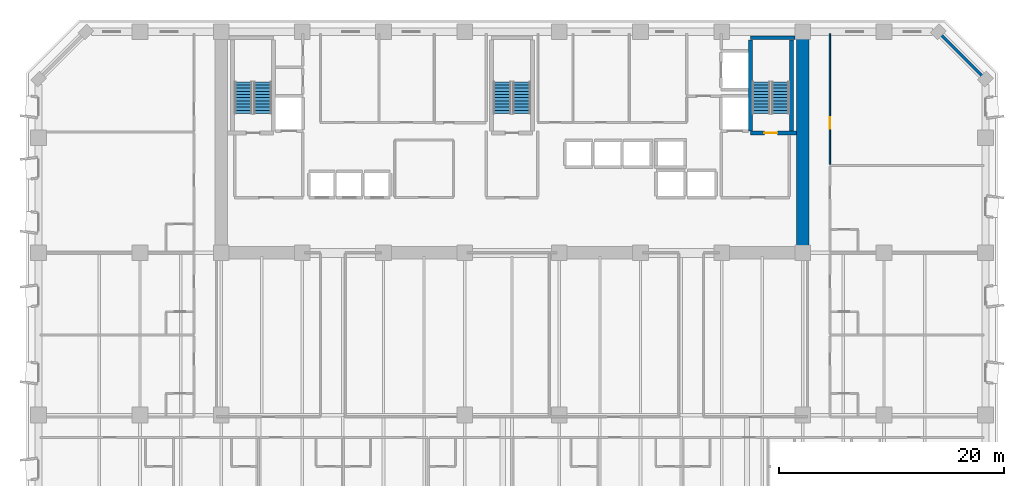
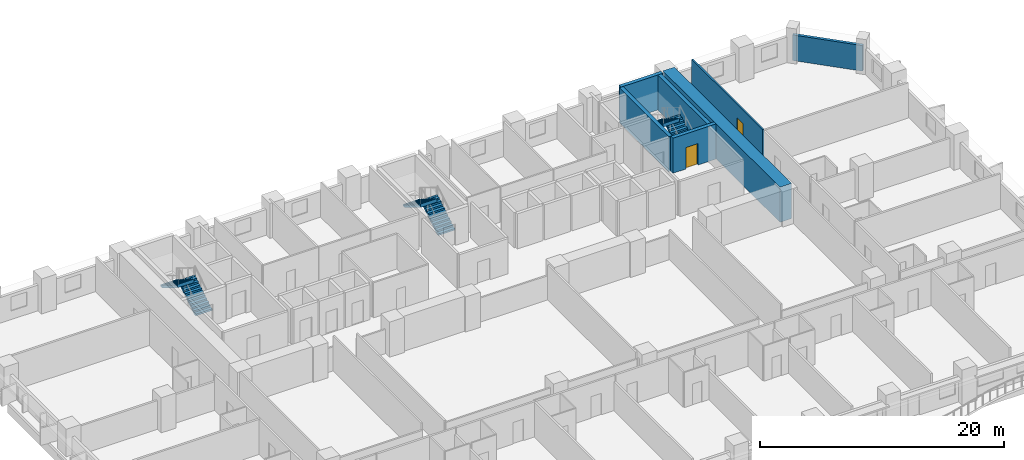
# One storey, part 11 of 15: 7 walls, 6 stair flights, 2 doors, 2 openings, 3 elements without a shape of their own.
"""IFC4 building model written with IfcOpenShell, lengths in metres."""

from ifc_helpers import new_model, si_unit, direction, frame, frame_2d, origin, place, context, subcontext, project, spatial, polyline, rectangle, outline, extrude, material, layer, layer_set, type_object, element, fill, aggregate, save


model = new_model("IFC4")

# Units and contexts
model_context = context("Model", 3, precision=1e-05, world=origin(), true_north=direction((0.0, 1.0)))
body_context = subcontext(model_context, "Body", "Model", "MODEL_VIEW")
ifc_project = project(units=[si_unit("LENGTHUNIT", "METRE"), si_unit("AREAUNIT", "SQUARE_METRE"), si_unit("VOLUMEUNIT", "CUBIC_METRE"), si_unit("PLANEANGLEUNIT", "RADIAN"), si_unit("MASSUNIT", "GRAM", prefix="KILO")], contexts=[model_context])

# Site, building, storey
site_placement = place(None, origin())
site = spatial("IfcSite", under=ifc_project, at=site_placement, CompositionType="ELEMENT")
building_placement = place(site_placement, origin())
building = spatial("IfcBuilding", under=site, at=building_placement, Name="Kaelvorn Grand Hotel", CompositionType="ELEMENT")
storey_placement = place(building_placement, frame((0.0, 0.0, 61.39990234375)))
storey = spatial("IfcBuildingStorey", under=building, at=storey_placement, Name="L13", CompositionType="ELEMENT", Elevation=61.39990234375)

# Walls
ifc_material_1 = material(Name="Concrete C80/95", Category="concrete")
ifc_layer_1 = layer(ifc_material_1, 1.10009765625)
ifc_layer_set_1 = layer_set([ifc_layer_1], Name="Concrete C80/95")
wall_type_1 = type_object("IfcWallType", Name="WL-CORE-1100-C80", PredefinedType="SHEAR", material=ifc_layer_set_1)
wall_1_placement = place(storey_placement, frame((67.800048828125, 29.39990234375, 0.0), z_axis=(0.0, 0.0, 1.0), x_axis=(0.0, 1.0, 0.0)))
element("IfcWall", 1, at=wall_1_placement, inside=storey, type_object=wall_type_1, Name="L13 Rear-Core East Shear Wall", PredefinedType="SHEAR", context=body_context, shape_type="SweptSolid", body=[
    extrude(rectangle(XDim=19.2001953125, YDim=1.10009765625, at=frame_2d((9.60009765625, 0.0))), origin(), (0.0, 0.0, 1.0), 3.510009765625),
])
ifc_material_2 = material(Name="Concrete C40/50", Category="concrete")
ifc_layer_2 = layer(ifc_material_2, 0.260009765625)
ifc_layer_set_2 = layer_set([ifc_layer_2], Name="Concrete C40/50")
wall_type_2 = type_object("IfcWallType", Name="WL-EXT-260-C40", PredefinedType="SOLIDWALL", material=ifc_layer_set_2)
wall_2_placement = place(storey_placement, frame((84.0, 44.800048828125, 0.0), z_axis=(0.0, 0.0, 1.0), x_axis=(-0.707106781187, 0.707106781187, 0.0)))
element("IfcWall", 2, at=wall_2_placement, inside=storey, type_object=wall_type_2, Name="L13 Exterior Architectural Concrete Wall 04", PredefinedType="SOLIDWALL", context=body_context, shape_type="SweptSolid", body=[
    extrude(rectangle(XDim=5.939697265625, YDim=0.260009765625, at=frame_2d((2.9697265625, 0.0))), origin(), (0.0, 0.0, 1.0), 2.56005859375),
])

# Wall, opening, door
ifc_material_3 = material(Name="Acoustic Gypsum & Stud Partition")
ifc_layer_3 = layer(ifc_material_3, 0.14990234375)
ifc_layer_set_3 = layer_set([ifc_layer_3], Name="Acoustic Gypsum & Stud Partition")
wall_type_3 = type_object("IfcWallType", Name="WL-PART-150-EI60", PredefinedType="PARTITIONING", material=ifc_layer_set_3)
wall_3_placement = place(storey_placement, frame((70.199951171875, 37.2451171875, 0.0), z_axis=(0.0, 0.0, 1.0), x_axis=(0.0, 1.0, 0.0)))
wall_3 = element("IfcWall", 3, at=wall_3_placement, inside=storey, type_object=wall_type_3, Name="L13 North-East Diplomatic Living Room W Partition", PredefinedType="PARTITIONING", context=body_context, shape_type="SweptSolid", body=[
    extrude(rectangle(XDim=11.60498046875, YDim=0.14990234375, at=frame_2d((5.802490234375, 0.0))), origin(), (0.0, 0.0, 1.0), 3.510009765625),
])
opening_1_placement = place(wall_3_placement, frame((3.175048828125, 0.0, 0.0)))
opening_1 = element("IfcOpeningElement", 4, at=opening_1_placement, cuts=wall_3, Name="Opening DI3", PredefinedType="OPENING", context=body_context, shape_type="SweptSolid", body=[
    extrude(rectangle(XDim=1.0, YDim=2.14990234375, at=frame_2d((0.5, 1.074951171875))), frame((0.0, 0.0849609375, 0.0), z_axis=(0.0, -1.0, 0.0), x_axis=(1.0, 0.0, 0.0)), (0.0, 0.0, 1.0), 0.169921875),
])
ifc_material_4 = material(Name="Timber Veneer Fire Leaf", Category="wood")
door_type_1 = type_object("IfcDoorType", Name="DR-INT-GUEST-1000x2150", OperationType="NOTDEFINED", PredefinedType="DOOR", material=ifc_material_4)
door_1_placement = place(opening_1_placement, origin())
door_1 = element("IfcDoor", 5, at=door_1_placement, inside=storey, type_object=door_type_1, Name="L13 North-East Diplomatic Living Room Door", OperationType="SINGLE_SWING_RIGHT", OverallHeight=2.14990234375, OverallWidth=1.0, PredefinedType="DOOR", context=body_context, shape_type="SweptSolid", body=[
    extrude(rectangle(XDim=1.0, YDim=2.14990234375, at=frame_2d((0.5, 1.074951171875))), frame((0.0, 0.02490234375, 0.0), z_axis=(0.0, -1.0, 0.0), x_axis=(1.0, 0.0, 0.0)), (0.0, 0.0, 1.0), 0.050048828125),
])
fill(opening_1, door_1)

ifc_material_5 = material(Name="Concrete C60/75", Category="concrete")
ifc_layer_4 = layer(ifc_material_5, 0.35009765625)
ifc_layer_set_4 = layer_set([ifc_layer_4], Name="Concrete C60/75")
wall_type_4 = type_object("IfcWallType", Name="WL-SHAFT-350-C60", PredefinedType="SHEAR", material=ifc_layer_set_4)
wall_4_placement = place(storey_placement, frame((63.14501953125, 40.02490234375, 0.0), z_axis=(0.0, 0.0, 1.0), x_axis=(1.0, 0.0, 0.0)))
wall_4 = element("IfcWall", 6, at=wall_4_placement, inside=storey, type_object=wall_type_4, Name="L13 ST3 Stair Shaft South Wall", PredefinedType="SHEAR", context=body_context, shape_type="SweptSolid", body=[
    extrude(rectangle(XDim=4.10009765625, YDim=0.35009765625, at=frame_2d((2.050048828125, 0.0))), origin(), (0.0, 0.0, 1.0), 3.510009765625),
])
opening_2_placement = place(wall_4_placement, frame((1.239990234375, 0.0, 0.0)))
opening_2 = element("IfcOpeningElement", 7, at=opening_2_placement, cuts=wall_4, Name="Opening DI1", PredefinedType="OPENING", context=body_context, shape_type="SweptSolid", body=[
    extrude(rectangle(XDim=1.14990234375, YDim=2.14990234375, at=frame_2d((0.574951171875, 1.074951171875))), frame((0.0, 0.18505859375, 0.0), z_axis=(0.0, -1.0, 0.0), x_axis=(1.0, 0.0, 0.0)), (0.0, 0.0, 1.0), 0.3701171875),
])
door_type_2 = type_object("IfcDoorType", Name="DR-INT-STAIR-1150x2150", OperationType="NOTDEFINED", PredefinedType="DOOR", material=ifc_material_4)
door_2_placement = place(opening_2_placement, origin())
door_2 = element("IfcDoor", 8, at=door_2_placement, inside=storey, type_object=door_type_2, Name="L13 ST3 Exit Stair Fire Door", OperationType="SINGLE_SWING_RIGHT", OverallHeight=2.14990234375, OverallWidth=1.14990234375, PredefinedType="DOOR", context=body_context, shape_type="SweptSolid", body=[
    extrude(rectangle(XDim=1.14990234375, YDim=2.14990234375, at=frame_2d((0.574951171875, 1.074951171875))), frame((0.0, 0.02490234375, 0.0), z_axis=(0.0, -1.0, 0.0), x_axis=(1.0, 0.0, 0.0)), (0.0, 0.0, 1.0), 0.050048828125),
])
fill(opening_2, door_2)

# Walls
wall_5_placement = place(storey_placement, frame((63.14501953125, 48.47509765625, 0.0), z_axis=(0.0, 0.0, 1.0), x_axis=(1.0, 0.0, 0.0)))
element("IfcWall", 9, at=wall_5_placement, inside=storey, type_object=wall_type_4, Name="L13 ST3 Stair Shaft North Wall", PredefinedType="SHEAR", context=body_context, shape_type="SweptSolid", body=[
    extrude(rectangle(XDim=3.949951171875, YDim=0.35009765625, at=frame_2d((1.97509765625, 0.0))), origin(), (0.0, 0.0, 1.0), 3.510009765625),
])
for number, where, z_axis, x_axis, name in (
    (10, (63.14501953125, 40.205078125, 0.0), (0.0, 0.0, 1.0), (0.0, 1.0, 0.0), "L13 ST3 Stair Shaft West Wall"),
    (11, (66.77490234375, 40.205078125, 0.0), (0.0, 0.0, 1.0), (0.0, 1.0, 0.0), "L13 ST3 Stair Shaft East Wall"),
):
    element("IfcWall", number, at=place(storey_placement, frame(where, z_axis=z_axis, x_axis=x_axis)), inside=storey, type_object=wall_type_4, Name=name, PredefinedType="SHEAR", context=body_context, shape_type="SweptSolid", body=[
        extrude(rectangle(XDim=8.08984375, YDim=0.35009765625, at=frame_2d((4.044921875, 0.0))), origin(), (0.0, 0.0, 1.0), 3.510009765625),
    ])

# Stair, stair flights
stair_type = type_object("IfcStairType", Name="STR-DOG-1560-R06", PredefinedType="HALF_TURN_STAIR", material=ifc_material_2)
stair_1_placement = place(storey_placement, origin())
stair_1 = element("IfcStair", 12, at=stair_1_placement, inside=storey, type_object=stair_type, Name="L13 West Core Exit Stair ST1", PredefinedType="HALF_TURN_STAIR")
stair_flight_type = type_object("IfcStairFlightType", Name="FLG-DOG-1560-R06", PredefinedType="STRAIGHT", material=ifc_material_2)
stair_flight_1_placement = place(storey_placement, frame((19.89990234375, 41.760009765625, 0.0), z_axis=(0.0, 0.0, 1.0), x_axis=(0.0, 1.0, 0.0)))
stair_flight_1 = element("IfcStairFlight", 13, at=stair_flight_1_placement, type_object=stair_flight_type, Name="ST1 flight 1", NumberOfRisers=11, NumberOfTreads=10, PredefinedType="STRAIGHT", RiserHeight=0.170454545, TreadLength=0.28, context=body_context, shape_type="SweptSolid", body=[
    extrude(outline(polyline([(-0.0048828125, 0.0), (-0.0048828125, 0.0400390625), (0.0, 0.17041015625), (0.280029296875, 0.17041015625), (0.280029296875, 0.3408203125), (0.56005859375, 0.3408203125), (0.56005859375, 0.511474609375), (0.840087890625, 0.511474609375), (0.840087890625, 0.681884765625), (1.1201171875, 0.681884765625), (1.1201171875, 0.852294921875), (1.39990234375, 0.852294921875), (1.39990234375, 1.022705078125), (1.679931640625, 1.022705078125), (1.679931640625, 1.193115234375), (1.9599609375, 1.193115234375), (1.9599609375, 1.363525390625), (2.239990234375, 1.363525390625), (2.239990234375, 1.5341796875), (2.52001953125, 1.5341796875), (2.52001953125, 1.70458984375), (2.800048828125, 1.70458984375), (2.800048828125, 1.875), (2.804931640625, 1.875), (2.804931640625, 1.529052734375), (0.288330078125, 0.0), (-0.0048828125, 0.0)])), frame((0.0, 0.780029296875, 0.0), z_axis=(0.0, -1.0, 0.0), x_axis=(1.0, 0.0, 0.0)), (0.0, 0.0, 1.0), 1.56005859375),
])
stair_flight_2_placement = place(storey_placement, frame((18.179931640625, 44.56005859375, 1.875), z_axis=(0.0, 0.0, 1.0), x_axis=(0.0, -1.0, 0.0)))
stair_flight_2 = element("IfcStairFlight", 14, at=stair_flight_2_placement, type_object=stair_flight_type, Name="ST1 flight 2", NumberOfRisers=11, NumberOfTreads=10, PredefinedType="STRAIGHT", RiserHeight=0.170454545, TreadLength=0.28, context=body_context, shape_type="SweptSolid", body=[
    extrude(outline(polyline([(-0.0048828125, 0.0), (-0.0048828125, 0.0400390625), (0.0, 0.17041015625), (0.280029296875, 0.17041015625), (0.280029296875, 0.3408203125), (0.56005859375, 0.3408203125), (0.56005859375, 0.511474609375), (0.840087890625, 0.511474609375), (0.840087890625, 0.681884765625), (1.1201171875, 0.681884765625), (1.1201171875, 0.852294921875), (1.39990234375, 0.852294921875), (1.39990234375, 1.022705078125), (1.679931640625, 1.022705078125), (1.679931640625, 1.193115234375), (1.9599609375, 1.193115234375), (1.9599609375, 1.363525390625), (2.239990234375, 1.363525390625), (2.239990234375, 1.5341796875), (2.52001953125, 1.5341796875), (2.52001953125, 1.70458984375), (2.800048828125, 1.70458984375), (2.800048828125, 1.875), (2.804931640625, 1.875), (2.804931640625, 1.529052734375), (0.288330078125, 0.0), (-0.0048828125, 0.0)])), frame((0.0, 0.780029296875, 0.0), z_axis=(0.0, -1.0, 0.0), x_axis=(1.0, 0.0, 0.0)), (0.0, 0.0, 1.0), 1.56005859375),
])
aggregate(stair_1, [stair_flight_1, stair_flight_2])

stair_2_placement = place(storey_placement, origin())
stair_2 = element("IfcStair", 15, at=stair_2_placement, inside=storey, type_object=stair_type, Name="L13 Central Core Exit Stair ST2", PredefinedType="HALF_TURN_STAIR")
stair_flight_3_placement = place(storey_placement, frame((42.860107421875, 41.760009765625, 0.0), z_axis=(0.0, 0.0, 1.0), x_axis=(0.0, 1.0, 0.0)))
stair_flight_3 = element("IfcStairFlight", 16, at=stair_flight_3_placement, type_object=stair_flight_type, Name="ST2 flight 1", NumberOfRisers=11, NumberOfTreads=10, PredefinedType="STRAIGHT", RiserHeight=0.170454545, TreadLength=0.28, context=body_context, shape_type="SweptSolid", body=[
    extrude(outline(polyline([(-0.0048828125, 0.0), (-0.0048828125, 0.0400390625), (0.0, 0.17041015625), (0.280029296875, 0.17041015625), (0.280029296875, 0.3408203125), (0.56005859375, 0.3408203125), (0.56005859375, 0.511474609375), (0.840087890625, 0.511474609375), (0.840087890625, 0.681884765625), (1.1201171875, 0.681884765625), (1.1201171875, 0.852294921875), (1.39990234375, 0.852294921875), (1.39990234375, 1.022705078125), (1.679931640625, 1.022705078125), (1.679931640625, 1.193115234375), (1.9599609375, 1.193115234375), (1.9599609375, 1.363525390625), (2.239990234375, 1.363525390625), (2.239990234375, 1.5341796875), (2.52001953125, 1.5341796875), (2.52001953125, 1.70458984375), (2.800048828125, 1.70458984375), (2.800048828125, 1.875), (2.804931640625, 1.875), (2.804931640625, 1.529052734375), (0.288330078125, 0.0), (-0.0048828125, 0.0)])), frame((0.0, 0.780029296875, 0.0), z_axis=(0.0, -1.0, 0.0), x_axis=(1.0, 0.0, 0.0)), (0.0, 0.0, 1.0), 1.56005859375),
])
stair_flight_4_placement = place(storey_placement, frame((41.139892578125, 44.56005859375, 1.875), z_axis=(0.0, 0.0, 1.0), x_axis=(0.0, -1.0, 0.0)))
stair_flight_4 = element("IfcStairFlight", 17, at=stair_flight_4_placement, type_object=stair_flight_type, Name="ST2 flight 2", NumberOfRisers=11, NumberOfTreads=10, PredefinedType="STRAIGHT", RiserHeight=0.170454545, TreadLength=0.28, context=body_context, shape_type="SweptSolid", body=[
    extrude(outline(polyline([(-0.0048828125, 0.0), (-0.0048828125, 0.0400390625), (0.0, 0.17041015625), (0.280029296875, 0.17041015625), (0.280029296875, 0.3408203125), (0.56005859375, 0.3408203125), (0.56005859375, 0.511474609375), (0.840087890625, 0.511474609375), (0.840087890625, 0.681884765625), (1.1201171875, 0.681884765625), (1.1201171875, 0.852294921875), (1.39990234375, 0.852294921875), (1.39990234375, 1.022705078125), (1.679931640625, 1.022705078125), (1.679931640625, 1.193115234375), (1.9599609375, 1.193115234375), (1.9599609375, 1.363525390625), (2.239990234375, 1.363525390625), (2.239990234375, 1.5341796875), (2.52001953125, 1.5341796875), (2.52001953125, 1.70458984375), (2.800048828125, 1.70458984375), (2.800048828125, 1.875), (2.804931640625, 1.875), (2.804931640625, 1.529052734375), (0.288330078125, 0.0), (-0.0048828125, 0.0)])), frame((0.0, 0.780029296875, 0.0), z_axis=(0.0, -1.0, 0.0), x_axis=(1.0, 0.0, 0.0)), (0.0, 0.0, 1.0), 1.56005859375),
])
aggregate(stair_2, [stair_flight_3, stair_flight_4])

stair_3_placement = place(storey_placement, origin())
stair_3 = element("IfcStair", 18, at=stair_3_placement, inside=storey, type_object=stair_type, Name="L13 East Core Exit Stair ST3", PredefinedType="HALF_TURN_STAIR")
stair_flight_5_placement = place(storey_placement, frame((65.820068359375, 41.760009765625, 0.0), z_axis=(0.0, 0.0, 1.0), x_axis=(0.0, 1.0, 0.0)))
stair_flight_5 = element("IfcStairFlight", 19, at=stair_flight_5_placement, type_object=stair_flight_type, Name="ST3 flight 1", NumberOfRisers=11, NumberOfTreads=10, PredefinedType="STRAIGHT", RiserHeight=0.170454545, TreadLength=0.28, context=body_context, shape_type="SweptSolid", body=[
    extrude(outline(polyline([(-0.0048828125, 0.0), (-0.0048828125, 0.0400390625), (0.0, 0.17041015625), (0.280029296875, 0.17041015625), (0.280029296875, 0.3408203125), (0.56005859375, 0.3408203125), (0.56005859375, 0.511474609375), (0.840087890625, 0.511474609375), (0.840087890625, 0.681884765625), (1.1201171875, 0.681884765625), (1.1201171875, 0.852294921875), (1.39990234375, 0.852294921875), (1.39990234375, 1.022705078125), (1.679931640625, 1.022705078125), (1.679931640625, 1.193115234375), (1.9599609375, 1.193115234375), (1.9599609375, 1.363525390625), (2.239990234375, 1.363525390625), (2.239990234375, 1.5341796875), (2.52001953125, 1.5341796875), (2.52001953125, 1.70458984375), (2.800048828125, 1.70458984375), (2.800048828125, 1.875), (2.804931640625, 1.875), (2.804931640625, 1.529052734375), (0.288330078125, 0.0), (-0.0048828125, 0.0)])), frame((0.0, 0.780029296875, 0.0), z_axis=(0.0, -1.0, 0.0), x_axis=(1.0, 0.0, 0.0)), (0.0, 0.0, 1.0), 1.56005859375),
])
stair_flight_6_placement = place(storey_placement, frame((64.10009765625, 44.56005859375, 1.875), z_axis=(0.0, 0.0, 1.0), x_axis=(0.0, -1.0, 0.0)))
stair_flight_6 = element("IfcStairFlight", 20, at=stair_flight_6_placement, type_object=stair_flight_type, Name="ST3 flight 2", NumberOfRisers=11, NumberOfTreads=10, PredefinedType="STRAIGHT", RiserHeight=0.170454545, TreadLength=0.28, context=body_context, shape_type="SweptSolid", body=[
    extrude(outline(polyline([(-0.0048828125, 0.0), (-0.0048828125, 0.0400390625), (0.0, 0.17041015625), (0.280029296875, 0.17041015625), (0.280029296875, 0.3408203125), (0.56005859375, 0.3408203125), (0.56005859375, 0.511474609375), (0.840087890625, 0.511474609375), (0.840087890625, 0.681884765625), (1.1201171875, 0.681884765625), (1.1201171875, 0.852294921875), (1.39990234375, 0.852294921875), (1.39990234375, 1.022705078125), (1.679931640625, 1.022705078125), (1.679931640625, 1.193115234375), (1.9599609375, 1.193115234375), (1.9599609375, 1.363525390625), (2.239990234375, 1.363525390625), (2.239990234375, 1.5341796875), (2.52001953125, 1.5341796875), (2.52001953125, 1.70458984375), (2.800048828125, 1.70458984375), (2.800048828125, 1.875), (2.804931640625, 1.875), (2.804931640625, 1.529052734375), (0.288330078125, 0.0), (-0.0048828125, 0.0)])), frame((0.0, 0.780029296875, 0.0), z_axis=(0.0, -1.0, 0.0), x_axis=(1.0, 0.0, 0.0)), (0.0, 0.0, 1.0), 1.56005859375),
])
aggregate(stair_3, [stair_flight_5, stair_flight_6])

save(model, "model.ifc")
